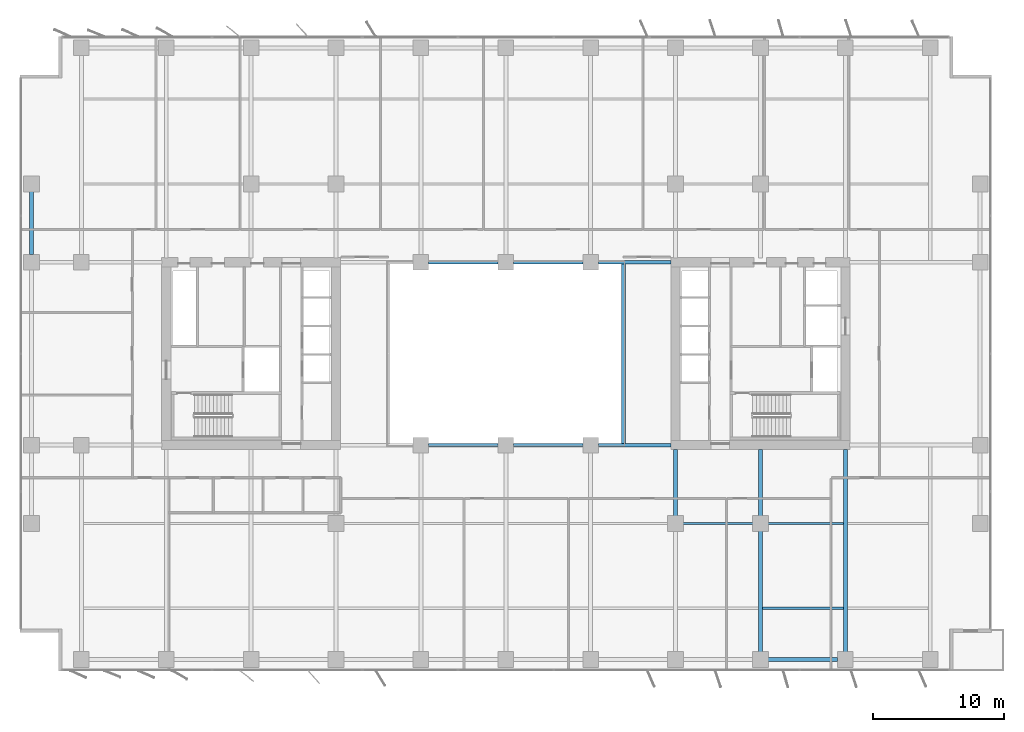
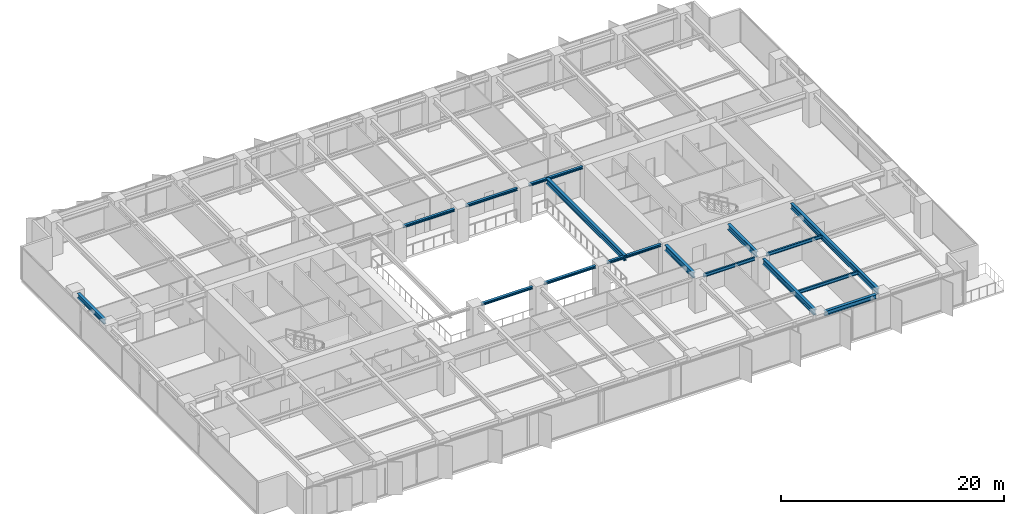
# One storey, part 6 of 20: 16 beams.
"""IFC4 building model written with IfcOpenShell, lengths in metres."""

from ifc_helpers import new_model, si_unit, direction, frame, origin, origin_2d, place, context, subcontext, project, spatial, i_section, extrude, material, material_profile, profile_set, type_object, element, save


model = new_model("IFC4")

# Units and contexts
model_context = context("Model", 3, precision=1e-05, world=origin(), true_north=direction((0.0, 1.0)))
body_context = subcontext(model_context, "Body", "Model", "MODEL_VIEW")
ifc_project = project(units=[si_unit("LENGTHUNIT", "METRE"), si_unit("AREAUNIT", "SQUARE_METRE"), si_unit("VOLUMEUNIT", "CUBIC_METRE"), si_unit("PLANEANGLEUNIT", "RADIAN"), si_unit("MASSUNIT", "GRAM", prefix="KILO")], contexts=[model_context])

# Site, building, storey
site_placement = place(None, origin())
site = spatial("IfcSite", under=ifc_project, at=site_placement, CompositionType="ELEMENT")
building_placement = place(site_placement, origin())
building = spatial("IfcBuilding", under=site, at=building_placement, Name="Putna Gate Headquarters", CompositionType="ELEMENT")
storey_placement = place(building_placement, frame((0.0, 0.0, 120.199951171875)))
storey = spatial("IfcBuildingStorey", under=building, at=storey_placement, Name="L29", CompositionType="ELEMENT", Elevation=120.199951171875)

# Beams
ifc_material = material(Name="Steel S355J2", Category="steel")
ifc_material_profile_1 = material_profile(ifc_material, i_section(OverallWidth=0.260009765625, OverallDepth=0.260009765625, WebThickness=0.010009765625, FlangeThickness=0.017578125, at=origin_2d()), Name="Steel S355J2")
ifc_profile_set_1 = profile_set([ifc_material_profile_1], Name="Steel S355J2")
beam_type_1 = type_object("IfcBeamType", Name="BM-ATRIUM-HEB260", PredefinedType="BEAM", material=ifc_profile_set_1)
for number, where, z_axis, x_axis, name in (
    (1, (33.087890625, 19.0, 3.43505859375), (1.0, 0.0, 0.0), (0.0, 1.0, 0.0), "L29 Atrium Edge Beam AS2"),
    (2, (39.587890625, 19.0, 3.43505859375), (1.0, 0.0, 0.0), (0.0, 1.0, 0.0), "L29 Atrium Edge Beam AS3"),
):
    element("IfcBeam", number, at=place(storey_placement, frame(where, z_axis=z_axis, x_axis=x_axis)), inside=storey, type_object=beam_type_1, Name=name, PredefinedType="BEAM", context=body_context, shape_type="SweptSolid", body=[
        extrude(i_section(OverallWidth=0.260009765625, OverallDepth=0.260009765625, WebThickness=0.010009765625, FlangeThickness=0.017578125, at=origin_2d()), origin(), (0.0, 0.0, 1.0), 5.32421875),
    ])
beam_1_placement = place(storey_placement, frame((46.087890625, 19.0, 3.43505859375), z_axis=(1.0, 0.0, 0.0), x_axis=(0.0, 1.0, 0.0)))
element("IfcBeam", 3, at=beam_1_placement, inside=storey, type_object=beam_type_1, Name="L29 Atrium Edge Beam AS4", PredefinedType="BEAM", context=body_context, shape_type="SweptSolid", body=[
    extrude(i_section(OverallWidth=0.260009765625, OverallDepth=0.260009765625, WebThickness=0.010009765625, FlangeThickness=0.017578125, at=origin_2d()), origin(), (0.0, 0.0, 1.0), 5.5771484375),
])
for number, where, z_axis, x_axis, name in (
    (4, (33.087890625, 33.0, 3.43505859375), (1.0, 0.0, 0.0), (0.0, 1.0, 0.0), "L29 Atrium Edge Beam AN2"),
    (5, (39.587890625, 33.0, 3.43505859375), (1.0, 0.0, 0.0), (0.0, 1.0, 0.0), "L29 Atrium Edge Beam AN3"),
):
    element("IfcBeam", number, at=place(storey_placement, frame(where, z_axis=z_axis, x_axis=x_axis)), inside=storey, type_object=beam_type_1, Name=name, PredefinedType="BEAM", context=body_context, shape_type="SweptSolid", body=[
        extrude(i_section(OverallWidth=0.260009765625, OverallDepth=0.260009765625, WebThickness=0.010009765625, FlangeThickness=0.017578125, at=origin_2d()), origin(), (0.0, 0.0, 1.0), 5.32421875),
    ])
beam_2_placement = place(storey_placement, frame((46.087890625, 33.0, 3.43505859375), z_axis=(1.0, 0.0, 0.0), x_axis=(0.0, 1.0, 0.0)))
element("IfcBeam", 6, at=beam_2_placement, inside=storey, type_object=beam_type_1, Name="L29 Atrium Edge Beam AN4", PredefinedType="BEAM", context=body_context, shape_type="SweptSolid", body=[
    extrude(i_section(OverallWidth=0.260009765625, OverallDepth=0.260009765625, WebThickness=0.010009765625, FlangeThickness=0.017578125, at=origin_2d()), origin(), (0.0, 0.0, 1.0), 5.5771484375),
])
ifc_material_profile_2 = material_profile(ifc_material, i_section(OverallWidth=0.300048828125, OverallDepth=0.60009765625, WebThickness=0.015380859375, FlangeThickness=0.030029296875, at=origin_2d()), Name="Steel S355J2")
ifc_profile_set_2 = profile_set([ifc_material_profile_2], Name="Steel S355J2")
beam_type_2 = type_object("IfcBeamType", Name="BM-GIRD-Z2-HEB600", PredefinedType="USERDEFINED", material=ifc_profile_set_2)
beam_3_placement = place(storey_placement, frame((52.0, 13.587890625, 3.26513671875), z_axis=(0.0, 1.0, 0.0), x_axis=(-1.0, 0.0, 0.0)))
element("IfcBeam", 7, at=beam_3_placement, inside=storey, type_object=beam_type_2, Name="L29 South Primary Girder X52-2", ObjectType="GIRDER", PredefinedType="USERDEFINED", context=body_context, shape_type="SweptSolid", body=[
    extrude(i_section(OverallWidth=0.300048828125, OverallDepth=0.60009765625, WebThickness=0.015380859375, FlangeThickness=0.030029296875, at=origin_2d()), origin(), (0.0, 0.0, 1.0), 5.0771484375),
])
beam_4_placement = place(storey_placement, frame((58.5, 3.16796875, 3.26513671875), z_axis=(0.0, 1.0, 0.0), x_axis=(-1.0, 0.0, 0.0)))
element("IfcBeam", 8, at=beam_4_placement, inside=storey, type_object=beam_type_2, Name="L29 South Primary Girder X58-1", ObjectType="GIRDER", PredefinedType="USERDEFINED", context=body_context, shape_type="SweptSolid", body=[
    extrude(i_section(OverallWidth=0.300048828125, OverallDepth=0.60009765625, WebThickness=0.015380859375, FlangeThickness=0.030029296875, at=origin_2d()), origin(), (0.0, 0.0, 1.0), 9.244140625),
])
beam_5_placement = place(storey_placement, frame((58.5, 13.587890625, 3.26513671875), z_axis=(0.0, 1.0, 0.0), x_axis=(-1.0, 0.0, 0.0)))
element("IfcBeam", 9, at=beam_5_placement, inside=storey, type_object=beam_type_2, Name="L29 South Primary Girder X58-2", ObjectType="GIRDER", PredefinedType="USERDEFINED", context=body_context, shape_type="SweptSolid", body=[
    extrude(i_section(OverallWidth=0.300048828125, OverallDepth=0.60009765625, WebThickness=0.015380859375, FlangeThickness=0.030029296875, at=origin_2d()), origin(), (0.0, 0.0, 1.0), 5.0771484375),
])
beam_6_placement = place(storey_placement, frame((65.0, 3.16796875, 3.26513671875), z_axis=(0.0, 1.0, 0.0), x_axis=(-1.0, 0.0, 0.0)))
element("IfcBeam", 10, at=beam_6_placement, inside=storey, type_object=beam_type_2, Name="L29 South Primary Girder X65", ObjectType="GIRDER", PredefinedType="USERDEFINED", context=body_context, shape_type="SweptSolid", body=[
    extrude(i_section(OverallWidth=0.300048828125, OverallDepth=0.60009765625, WebThickness=0.015380859375, FlangeThickness=0.030029296875, at=origin_2d()), origin(), (0.0, 0.0, 1.0), 15.4970703125),
])
beam_7_placement = place(storey_placement, frame((48.0, 19.010009765625, 3.26513671875), z_axis=(0.0, 1.0, 0.0), x_axis=(-1.0, 0.0, 0.0)))
element("IfcBeam", 11, at=beam_7_placement, inside=storey, type_object=beam_type_2, Name="L29 Atrium Trim Girder AE", ObjectType="GIRDER", PredefinedType="USERDEFINED", context=body_context, shape_type="SweptSolid", body=[
    extrude(i_section(OverallWidth=0.300048828125, OverallDepth=0.60009765625, WebThickness=0.015380859375, FlangeThickness=0.030029296875, at=origin_2d()), origin(), (0.0, 0.0, 1.0), 13.97998046875),
])
ifc_material_profile_3 = material_profile(ifc_material, i_section(OverallWidth=0.169921875, OverallDepth=0.360107421875, WebThickness=0.008056640625, FlangeThickness=0.0126953125, at=origin_2d()), Name="Steel S355J2")
ifc_profile_set_3 = profile_set([ifc_material_profile_3], Name="Steel S355J2")
beam_type_3 = type_object("IfcBeamType", Name="BM-SEC-Z2-IPE360", PredefinedType="BEAM", material=ifc_profile_set_3)
beam_8_placement = place(storey_placement, frame((52.587890625, 13.0, 3.385009765625), z_axis=(1.0, 0.0, 0.0), x_axis=(0.0, 1.0, 0.0)))
element("IfcBeam", 12, at=beam_8_placement, inside=storey, type_object=beam_type_3, Name="L29 South Secondary Beam 8", PredefinedType="BEAM", context=body_context, shape_type="SweptSolid", body=[
    extrude(i_section(OverallWidth=0.169921875, OverallDepth=0.360107421875, WebThickness=0.008056640625, FlangeThickness=0.0126953125, at=origin_2d()), origin(), (0.0, 0.0, 1.0), 5.32421875),
])
beam_9_placement = place(storey_placement, frame((58.654052734375, 6.5, 3.385009765625), z_axis=(1.0, 0.0, 0.0), x_axis=(0.0, 1.0, 0.0)))
element("IfcBeam", 13, at=beam_9_placement, inside=storey, type_object=beam_type_3, Name="L29 South Secondary Beam 9", PredefinedType="BEAM", context=body_context, shape_type="SweptSolid", body=[
    extrude(i_section(OverallWidth=0.169921875, OverallDepth=0.360107421875, WebThickness=0.008056640625, FlangeThickness=0.0126953125, at=origin_2d()), origin(), (0.0, 0.0, 1.0), 6.19189453125),
])
beam_10_placement = place(storey_placement, frame((59.087890625, 13.0, 3.385009765625), z_axis=(1.0, 0.0, 0.0), x_axis=(0.0, 1.0, 0.0)))
element("IfcBeam", 14, at=beam_10_placement, inside=storey, type_object=beam_type_3, Name="L29 South Secondary Beam 9", PredefinedType="BEAM", context=body_context, shape_type="SweptSolid", body=[
    extrude(i_section(OverallWidth=0.169921875, OverallDepth=0.360107421875, WebThickness=0.008056640625, FlangeThickness=0.0126953125, at=origin_2d()), origin(), (0.0, 0.0, 1.0), 5.758056640625),
])
ifc_material_profile_4 = material_profile(ifc_material, i_section(OverallWidth=0.300048828125, OverallDepth=0.489990234375, WebThickness=0.011962890625, FlangeThickness=0.02294921875, at=origin_2d()), Name="Steel S355J2")
ifc_profile_set_4 = profile_set([ifc_material_profile_4], Name="Steel S355J2")
beam_type_4 = type_object("IfcBeamType", Name="BM-SPAN-Z2-HEA500", PredefinedType="SPANDREL", material=ifc_profile_set_4)
beam_11_placement = place(storey_placement, frame((59.087890625, 2.580078125, 3.320068359375), z_axis=(1.0, 0.0, 0.0), x_axis=(0.0, 1.0, 0.0)))
element("IfcBeam", 15, at=beam_11_placement, inside=storey, type_object=beam_type_4, Name="L29 S Perimeter Spandrel 9", PredefinedType="SPANDREL", context=body_context, shape_type="SweptSolid", body=[
    extrude(i_section(OverallWidth=0.300048828125, OverallDepth=0.489990234375, WebThickness=0.011962890625, FlangeThickness=0.02294921875, at=origin_2d()), origin(), (0.0, 0.0, 1.0), 5.32421875),
])
beam_12_placement = place(storey_placement, frame((2.679931640625, 33.587890625, 3.320068359375), z_axis=(0.0, 1.0, 0.0), x_axis=(-1.0, 0.0, 0.0)))
element("IfcBeam", 16, at=beam_12_placement, inside=storey, type_object=beam_type_4, Name="L29 W End Spandrel 3", PredefinedType="SPANDREL", context=body_context, shape_type="SweptSolid", body=[
    extrude(i_section(OverallWidth=0.300048828125, OverallDepth=0.489990234375, WebThickness=0.011962890625, FlangeThickness=0.02294921875, at=origin_2d()), origin(), (0.0, 0.0, 1.0), 4.82421875),
])

save(model, "model.ifc")
